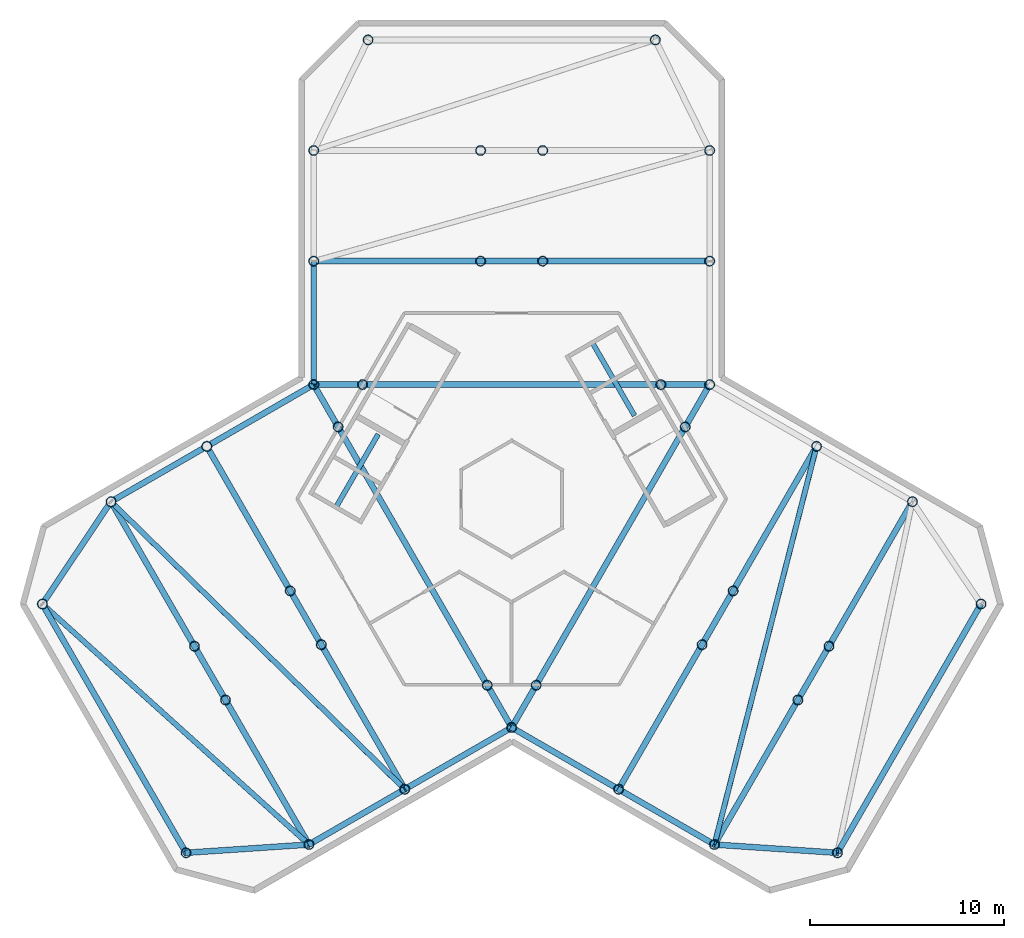
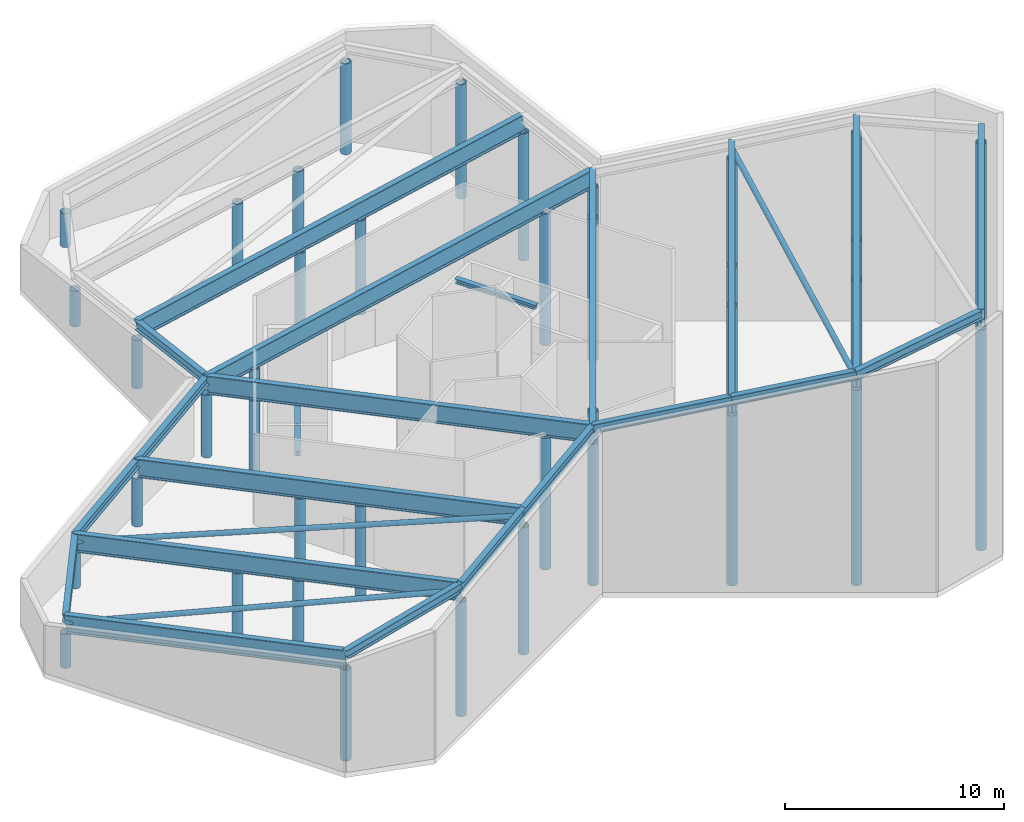
# One storey, part 1 of 5: 39 columns, 24 beams, 3 members.
"""IFC4 building model written with IfcOpenShell, lengths in metres."""

from ifc_helpers import new_model, si_unit, direction, frame, origin, origin_2d, place, context, subcontext, project, spatial, hollow_circle, i_section, extrude, material, material_profile, profile_set, type_object, element, save


model = new_model("IFC4")

# Units and contexts
model_context = context("Model", 3, precision=1e-05, world=origin(), true_north=direction((0.0, 1.0)))
body_context = subcontext(model_context, "Body", "Model", "MODEL_VIEW")
ifc_project = project(units=[si_unit("LENGTHUNIT", "METRE"), si_unit("AREAUNIT", "SQUARE_METRE"), si_unit("VOLUMEUNIT", "CUBIC_METRE"), si_unit("PLANEANGLEUNIT", "RADIAN"), si_unit("MASSUNIT", "GRAM", prefix="KILO")], contexts=[model_context])

# Site, building, storey
site_placement = place(None, origin())
site = spatial("IfcSite", under=ifc_project, at=site_placement, CompositionType="ELEMENT")
building_placement = place(site_placement, origin())
building = spatial("IfcBuilding", under=site, at=building_placement, Name="Kosmar Iwan School Tower", CompositionType="ELEMENT")
storey_placement = place(building_placement, frame((0.0, 0.0, 301.0)))
storey = spatial("IfcBuildingStorey", under=building, at=storey_placement, Name="RF", CompositionType="ELEMENT", Elevation=301.0)

# Columns
ifc_material_1 = material(Name="Steel S355", Category="steel")
ifc_material_profile_1 = material_profile(ifc_material_1, hollow_circle(Radius=0.25390625, WallThickness=0.02490234375, at=origin_2d()), Name="CHS 508x25")
ifc_profile_set_1 = profile_set([ifc_material_profile_1], Name="Steel S355")
column_type = type_object("IfcColumnType", Name="Crown column CHS 508x25", PredefinedType="COLUMN", material=ifc_profile_set_1)
column_1_placement = place(storey_placement, frame((-10.199951171875, 12.25, 0.0), z_axis=(0.0, 0.0, 1.0), x_axis=(1.0, 0.0, 0.0)))
element("IfcColumn", 1, at=column_1_placement, inside=storey, type_object=column_type, Name="Crown column AL1", PredefinedType="COLUMN", context=body_context, shape_type="SweptSolid", body=[
    extrude(hollow_circle(Radius=0.25390625, WallThickness=0.02490234375, at=origin_2d()), origin(), (0.0, 0.0, 1.0), 2.69970703125),
])
column_2_placement = place(storey_placement, frame((-10.199951171875, 17.949951171875, 0.0), z_axis=(0.0, 0.0, 1.0), x_axis=(1.0, 0.0, 0.0)))
element("IfcColumn", 2, at=column_2_placement, inside=storey, type_object=column_type, Name="Crown column AL2", PredefinedType="COLUMN", context=body_context, shape_type="SweptSolid", body=[
    extrude(hollow_circle(Radius=0.25390625, WallThickness=0.02490234375, at=origin_2d()), origin(), (0.0, 0.0, 1.0), 1.989013671875),
])
column_3_placement = place(storey_placement, frame((-7.39990234375, 23.64990234375, 0.0), z_axis=(0.0, 0.0, 1.0), x_axis=(1.0, 0.0, 0.0)))
element("IfcColumn", 3, at=column_3_placement, inside=storey, type_object=column_type, Name="Crown column ALTIP", PredefinedType="COLUMN", context=body_context, shape_type="SweptSolid", body=[
    extrude(hollow_circle(Radius=0.25390625, WallThickness=0.02490234375, at=origin_2d()), origin(), (0.0, 0.0, 1.0), 1.883056640625),
])
column_4_placement = place(storey_placement, frame((10.199951171875, 12.25, 0.0), z_axis=(0.0, 0.0, 1.0), x_axis=(1.0, 0.0, 0.0)))
element("IfcColumn", 4, at=column_4_placement, inside=storey, type_object=column_type, Name="Crown column AR1", PredefinedType="COLUMN", context=body_context, shape_type="SweptSolid", body=[
    extrude(hollow_circle(Radius=0.25390625, WallThickness=0.02490234375, at=origin_2d()), origin(), (0.0, 0.0, 1.0), 7.1044921875),
])
column_5_placement = place(storey_placement, frame((10.199951171875, 17.949951171875, 0.0), z_axis=(0.0, 0.0, 1.0), x_axis=(1.0, 0.0, 0.0)))
element("IfcColumn", 5, at=column_5_placement, inside=storey, type_object=column_type, Name="Crown column AR2", PredefinedType="COLUMN", context=body_context, shape_type="SweptSolid", body=[
    extrude(hollow_circle(Radius=0.25390625, WallThickness=0.02490234375, at=origin_2d()), origin(), (0.0, 0.0, 1.0), 6.39404296875),
])
column_6_placement = place(storey_placement, frame((7.39990234375, 23.64990234375, 0.0), z_axis=(0.0, 0.0, 1.0), x_axis=(1.0, 0.0, 0.0)))
element("IfcColumn", 6, at=column_6_placement, inside=storey, type_object=column_type, Name="Crown column ARTIP", PredefinedType="COLUMN", context=body_context, shape_type="SweptSolid", body=[
    extrude(hollow_circle(Radius=0.25390625, WallThickness=0.02490234375, at=origin_2d()), origin(), (0.0, 0.0, 1.0), 5.078857421875),
])
column_7_placement = place(storey_placement, frame((-5.5087890625, -14.95849609375, 0.0), z_axis=(0.0, 0.0, 1.0), x_axis=(1.0, 0.0, 0.0)))
element("IfcColumn", 7, at=column_7_placement, inside=storey, type_object=column_type, Name="Crown column BL1", PredefinedType="COLUMN", context=body_context, shape_type="SweptSolid", body=[
    extrude(hollow_circle(Radius=0.25390625, WallThickness=0.02490234375, at=origin_2d()), origin(), (0.0, 0.0, 1.0), 7.1044921875),
])
column_8_placement = place(storey_placement, frame((-10.445068359375, -17.808349609375, 0.0), z_axis=(0.0, 0.0, 1.0), x_axis=(1.0, 0.0, 0.0)))
element("IfcColumn", 8, at=column_8_placement, inside=storey, type_object=column_type, Name="Crown column BL2", PredefinedType="COLUMN", context=body_context, shape_type="SweptSolid", body=[
    extrude(hollow_circle(Radius=0.25390625, WallThickness=0.02490234375, at=origin_2d()), origin(), (0.0, 0.0, 1.0), 6.39404296875),
])
column_9_placement = place(storey_placement, frame((-16.781494140625, -18.233642578125, 0.0), z_axis=(0.0, 0.0, 1.0), x_axis=(1.0, 0.0, 0.0)))
element("IfcColumn", 9, at=column_9_placement, inside=storey, type_object=column_type, Name="Crown column BLTIP", PredefinedType="COLUMN", context=body_context, shape_type="SweptSolid", body=[
    extrude(hollow_circle(Radius=0.25390625, WallThickness=0.02490234375, at=origin_2d()), origin(), (0.0, 0.0, 1.0), 5.078857421875),
])
column_10_placement = place(storey_placement, frame((-15.708740234375, 2.70849609375, 0.0), z_axis=(0.0, 0.0, 1.0), x_axis=(1.0, 0.0, 0.0)))
element("IfcColumn", 10, at=column_10_placement, inside=storey, type_object=column_type, Name="Crown column BR1", PredefinedType="COLUMN", context=body_context, shape_type="SweptSolid", body=[
    extrude(hollow_circle(Radius=0.25390625, WallThickness=0.02490234375, at=origin_2d()), origin(), (0.0, 0.0, 1.0), 2.69970703125),
])
column_11_placement = place(storey_placement, frame((-20.645263671875, -0.1416015625, 0.0), z_axis=(0.0, 0.0, 1.0), x_axis=(1.0, 0.0, 0.0)))
element("IfcColumn", 11, at=column_11_placement, inside=storey, type_object=column_type, Name="Crown column BR2", PredefinedType="COLUMN", context=body_context, shape_type="SweptSolid", body=[
    extrude(hollow_circle(Radius=0.25390625, WallThickness=0.02490234375, at=origin_2d()), origin(), (0.0, 0.0, 1.0), 1.989013671875),
])
column_12_placement = place(storey_placement, frame((-24.181396484375, -5.41650390625, 0.0), z_axis=(0.0, 0.0, 1.0), x_axis=(1.0, 0.0, 0.0)))
element("IfcColumn", 12, at=column_12_placement, inside=storey, type_object=column_type, Name="Crown column BRTIP", PredefinedType="COLUMN", context=body_context, shape_type="SweptSolid", body=[
    extrude(hollow_circle(Radius=0.25390625, WallThickness=0.02490234375, at=origin_2d()), origin(), (0.0, 0.0, 1.0), 1.883056640625),
])
column_13_placement = place(storey_placement, frame((15.708740234375, 2.70849609375, 0.0), z_axis=(0.0, 0.0, 1.0), x_axis=(1.0, 0.0, 0.0)))
element("IfcColumn", 13, at=column_13_placement, inside=storey, type_object=column_type, Name="Crown column CL1", PredefinedType="COLUMN", context=body_context, shape_type="SweptSolid", body=[
    extrude(hollow_circle(Radius=0.25390625, WallThickness=0.02490234375, at=origin_2d()), origin(), (0.0, 0.0, 1.0), 9.4833984375),
])
column_14_placement = place(storey_placement, frame((20.645263671875, -0.1416015625, 0.0), z_axis=(0.0, 0.0, 1.0), x_axis=(1.0, 0.0, 0.0)))
element("IfcColumn", 14, at=column_14_placement, inside=storey, type_object=column_type, Name="Crown column CL2", PredefinedType="COLUMN", context=body_context, shape_type="SweptSolid", body=[
    extrude(hollow_circle(Radius=0.25390625, WallThickness=0.02490234375, at=origin_2d()), origin(), (0.0, 0.0, 1.0), 10.904541015625),
])
column_15_placement = place(storey_placement, frame((24.181396484375, -5.41650390625, 0.0), z_axis=(0.0, 0.0, 1.0), x_axis=(1.0, 0.0, 0.0)))
element("IfcColumn", 15, at=column_15_placement, inside=storey, type_object=column_type, Name="Crown column CLTIP", PredefinedType="COLUMN", context=body_context, shape_type="SweptSolid", body=[
    extrude(hollow_circle(Radius=0.25390625, WallThickness=0.02490234375, at=origin_2d()), origin(), (0.0, 0.0, 1.0), 12.325927734375),
])
column_16_placement = place(storey_placement, frame((5.5087890625, -14.95849609375, 0.0), z_axis=(0.0, 0.0, 1.0), x_axis=(1.0, 0.0, 0.0)))
element("IfcColumn", 16, at=column_16_placement, inside=storey, type_object=column_type, Name="Crown column CR1", PredefinedType="COLUMN", context=body_context, shape_type="SweptSolid", body=[
    extrude(hollow_circle(Radius=0.25390625, WallThickness=0.02490234375, at=origin_2d()), origin(), (0.0, 0.0, 1.0), 9.4833984375),
])
column_17_placement = place(storey_placement, frame((10.445068359375, -17.808349609375, 0.0), z_axis=(0.0, 0.0, 1.0), x_axis=(1.0, 0.0, 0.0)))
element("IfcColumn", 17, at=column_17_placement, inside=storey, type_object=column_type, Name="Crown column CR2", PredefinedType="COLUMN", context=body_context, shape_type="SweptSolid", body=[
    extrude(hollow_circle(Radius=0.25390625, WallThickness=0.02490234375, at=origin_2d()), origin(), (0.0, 0.0, 1.0), 10.904541015625),
])
column_18_placement = place(storey_placement, frame((16.781494140625, -18.233642578125, 0.0), z_axis=(0.0, 0.0, 1.0), x_axis=(1.0, 0.0, 0.0)))
element("IfcColumn", 18, at=column_18_placement, inside=storey, type_object=column_type, Name="Crown column CRTIP", PredefinedType="COLUMN", context=body_context, shape_type="SweptSolid", body=[
    extrude(hollow_circle(Radius=0.25390625, WallThickness=0.02490234375, at=origin_2d()), origin(), (0.0, 0.0, 1.0), 12.325927734375),
])
column_19_placement = place(storey_placement, frame((-10.199951171875, 5.888916015625, 0.0), z_axis=(0.0, 0.0, 1.0), x_axis=(1.0, 0.0, 0.0)))
element("IfcColumn", 19, at=column_19_placement, inside=storey, type_object=column_type, Name="Crown column RAB", PredefinedType="COLUMN", context=body_context, shape_type="SweptSolid", body=[
    extrude(hollow_circle(Radius=0.25390625, WallThickness=0.02490234375, at=origin_2d()), origin(), (0.0, 0.0, 1.0), 3.49267578125),
])
for number, where, z_axis, x_axis, name in (
    (20, (10.199951171875, 5.888916015625, 0.0), (0.0, 0.0, 1.0), (1.0, 0.0, 0.0), "Crown column RAC"),
    (21, (0.0, -11.77783203125, 0.0), (0.0, 0.0, 1.0), (1.0, 0.0, 0.0), "Crown column RBC"),
):
    element("IfcColumn", number, at=place(storey_placement, frame(where, z_axis=z_axis, x_axis=x_axis)), inside=storey, type_object=column_type, Name=name, PredefinedType="COLUMN", context=body_context, shape_type="SweptSolid", body=[
        extrude(hollow_circle(Radius=0.25390625, WallThickness=0.02490234375, at=origin_2d()), origin(), (0.0, 0.0, 1.0), 7.8974609375),
    ])
column_20_placement = place(storey_placement, frame((-7.68505859375, 5.888916015625, 0.0), z_axis=(0.0, 0.0, 1.0), x_axis=(1.0, 0.0, 0.0)))
element("IfcColumn", 22, at=column_20_placement, inside=storey, type_object=column_type, Name="Crown post RAB-RAC 1", PredefinedType="COLUMN", context=body_context, shape_type="SweptSolid", body=[
    extrude(hollow_circle(Radius=0.25390625, WallThickness=0.02490234375, at=origin_2d()), origin(), (0.0, 0.0, 1.0), 4.03564453125),
])
column_21_placement = place(storey_placement, frame((7.68505859375, 5.888916015625, 0.0), z_axis=(0.0, 0.0, 1.0), x_axis=(1.0, 0.0, 0.0)))
element("IfcColumn", 23, at=column_21_placement, inside=storey, type_object=column_type, Name="Crown post RAB-RAC 2", PredefinedType="COLUMN", context=body_context, shape_type="SweptSolid", body=[
    extrude(hollow_circle(Radius=0.25390625, WallThickness=0.02490234375, at=origin_2d()), origin(), (0.0, 0.0, 1.0), 7.3544921875),
])
for number, where, z_axis, x_axis, name in (
    (24, (1.25732421875, -9.60009765625, 0.0), (0.0, 0.0, 1.0), (1.0, 0.0, 0.0), "Crown post RAC-RBC 1"),
    (25, (8.942626953125, 3.7109375, 0.0), (0.0, 0.0, 1.0), (1.0, 0.0, 0.0), "Crown post RAC-RBC 2"),
):
    element("IfcColumn", number, at=place(storey_placement, frame(where, z_axis=z_axis, x_axis=x_axis)), inside=storey, type_object=column_type, Name=name, PredefinedType="COLUMN", context=body_context, shape_type="SweptSolid", body=[
        extrude(hollow_circle(Radius=0.25390625, WallThickness=0.02490234375, at=origin_2d()), origin(), (0.0, 0.0, 1.0), 7.8974609375),
    ])
column_22_placement = place(storey_placement, frame((-8.942626953125, 3.7109375, 0.0), z_axis=(0.0, 0.0, 1.0), x_axis=(1.0, 0.0, 0.0)))
element("IfcColumn", 26, at=column_22_placement, inside=storey, type_object=column_type, Name="Crown post RBC-RAB 1", PredefinedType="COLUMN", context=body_context, shape_type="SweptSolid", body=[
    extrude(hollow_circle(Radius=0.25390625, WallThickness=0.02490234375, at=origin_2d()), origin(), (0.0, 0.0, 1.0), 4.03564453125),
])
column_23_placement = place(storey_placement, frame((-1.25732421875, -9.60009765625, 0.0), z_axis=(0.0, 0.0, 1.0), x_axis=(1.0, 0.0, 0.0)))
element("IfcColumn", 27, at=column_23_placement, inside=storey, type_object=column_type, Name="Crown post RBC-RAB 2", PredefinedType="COLUMN", context=body_context, shape_type="SweptSolid", body=[
    extrude(hollow_circle(Radius=0.25390625, WallThickness=0.02490234375, at=origin_2d()), origin(), (0.0, 0.0, 1.0), 7.3544921875),
])
column_24_placement = place(storey_placement, frame((-1.60009765625, 12.25, 0.0), z_axis=(0.0, 0.0, 1.0), x_axis=(1.0, 0.0, 0.0)))
element("IfcColumn", 28, at=column_24_placement, inside=storey, type_object=column_type, Name="Crown post AL1-AR1 L", PredefinedType="COLUMN", context=body_context, shape_type="SweptSolid", body=[
    extrude(hollow_circle(Radius=0.25390625, WallThickness=0.02490234375, at=origin_2d()), origin(), (0.0, 0.0, 1.0), 4.556640625),
])
column_25_placement = place(storey_placement, frame((1.60009765625, 12.25, 0.0), z_axis=(0.0, 0.0, 1.0), x_axis=(1.0, 0.0, 0.0)))
element("IfcColumn", 29, at=column_25_placement, inside=storey, type_object=column_type, Name="Crown post AL1-AR1 R", PredefinedType="COLUMN", context=body_context, shape_type="SweptSolid", body=[
    extrude(hollow_circle(Radius=0.25390625, WallThickness=0.02490234375, at=origin_2d()), origin(), (0.0, 0.0, 1.0), 5.24755859375),
])
column_26_placement = place(storey_placement, frame((-1.60009765625, 17.949951171875, 0.0), z_axis=(0.0, 0.0, 1.0), x_axis=(1.0, 0.0, 0.0)))
element("IfcColumn", 30, at=column_26_placement, inside=storey, type_object=column_type, Name="Crown post AL2-AR2 L", PredefinedType="COLUMN", context=body_context, shape_type="SweptSolid", body=[
    extrude(hollow_circle(Radius=0.25390625, WallThickness=0.02490234375, at=origin_2d()), origin(), (0.0, 0.0, 1.0), 3.845947265625),
])
column_27_placement = place(storey_placement, frame((1.60009765625, 17.949951171875, 0.0), z_axis=(0.0, 0.0, 1.0), x_axis=(1.0, 0.0, 0.0)))
element("IfcColumn", 31, at=column_27_placement, inside=storey, type_object=column_type, Name="Crown post AL2-AR2 R", PredefinedType="COLUMN", context=body_context, shape_type="SweptSolid", body=[
    extrude(hollow_circle(Radius=0.25390625, WallThickness=0.02490234375, at=origin_2d()), origin(), (0.0, 0.0, 1.0), 4.536865234375),
])
column_28_placement = place(storey_placement, frame((-9.808837890625, -7.5107421875, 0.0), z_axis=(0.0, 0.0, 1.0), x_axis=(1.0, 0.0, 0.0)))
element("IfcColumn", 32, at=column_28_placement, inside=storey, type_object=column_type, Name="Crown post BL1-BR1 L", PredefinedType="COLUMN", context=body_context, shape_type="SweptSolid", body=[
    extrude(hollow_circle(Radius=0.25390625, WallThickness=0.02490234375, at=origin_2d()), origin(), (0.0, 0.0, 1.0), 5.24755859375),
])
column_29_placement = place(storey_placement, frame((-11.40869140625, -4.7392578125, 0.0), z_axis=(0.0, 0.0, 1.0), x_axis=(1.0, 0.0, 0.0)))
element("IfcColumn", 33, at=column_29_placement, inside=storey, type_object=column_type, Name="Crown post BL1-BR1 R", PredefinedType="COLUMN", context=body_context, shape_type="SweptSolid", body=[
    extrude(hollow_circle(Radius=0.25390625, WallThickness=0.02490234375, at=origin_2d()), origin(), (0.0, 0.0, 1.0), 4.556640625),
])
column_30_placement = place(storey_placement, frame((-14.7451171875, -10.360595703125, 0.0), z_axis=(0.0, 0.0, 1.0), x_axis=(1.0, 0.0, 0.0)))
element("IfcColumn", 34, at=column_30_placement, inside=storey, type_object=column_type, Name="Crown post BL2-BR2 L", PredefinedType="COLUMN", context=body_context, shape_type="SweptSolid", body=[
    extrude(hollow_circle(Radius=0.25390625, WallThickness=0.02490234375, at=origin_2d()), origin(), (0.0, 0.0, 1.0), 4.536865234375),
])
column_31_placement = place(storey_placement, frame((-16.34521484375, -7.58935546875, 0.0), z_axis=(0.0, 0.0, 1.0), x_axis=(1.0, 0.0, 0.0)))
element("IfcColumn", 35, at=column_31_placement, inside=storey, type_object=column_type, Name="Crown post BL2-BR2 R", PredefinedType="COLUMN", context=body_context, shape_type="SweptSolid", body=[
    extrude(hollow_circle(Radius=0.25390625, WallThickness=0.02490234375, at=origin_2d()), origin(), (0.0, 0.0, 1.0), 3.845947265625),
])
for number, where, z_axis, x_axis, name in (
    (36, (11.40869140625, -4.7392578125, 0.0), (0.0, 0.0, 1.0), (1.0, 0.0, 0.0), "Crown post CL1-CR1 L"),
    (37, (9.808837890625, -7.5107421875, 0.0), (0.0, 0.0, 1.0), (1.0, 0.0, 0.0), "Crown post CL1-CR1 R"),
):
    element("IfcColumn", number, at=place(storey_placement, frame(where, z_axis=z_axis, x_axis=x_axis)), inside=storey, type_object=column_type, Name=name, PredefinedType="COLUMN", context=body_context, shape_type="SweptSolid", body=[
        extrude(hollow_circle(Radius=0.25390625, WallThickness=0.02490234375, at=origin_2d()), origin(), (0.0, 0.0, 1.0), 9.4833984375),
    ])
for number, where, z_axis, x_axis, name in (
    (38, (16.34521484375, -7.58935546875, 0.0), (0.0, 0.0, 1.0), (1.0, 0.0, 0.0), "Crown post CL2-CR2 L"),
    (39, (14.7451171875, -10.360595703125, 0.0), (0.0, 0.0, 1.0), (1.0, 0.0, 0.0), "Crown post CL2-CR2 R"),
):
    element("IfcColumn", number, at=place(storey_placement, frame(where, z_axis=z_axis, x_axis=x_axis)), inside=storey, type_object=column_type, Name=name, PredefinedType="COLUMN", context=body_context, shape_type="SweptSolid", body=[
        extrude(hollow_circle(Radius=0.25390625, WallThickness=0.02490234375, at=origin_2d()), origin(), (0.0, 0.0, 1.0), 10.904541015625),
    ])

# Beams
ifc_material_2 = material(Name="Steel S355", Category="steel")
ifc_material_profile_2 = material_profile(ifc_material_2, i_section(OverallWidth=0.302001953125, OverallDepth=1.008056640625, WebThickness=0.02099609375, FlangeThickness=0.0400390625, FilletRadius=0.030029296875, at=origin_2d()), Name="HE 1000 M")
ifc_profile_set_2 = profile_set([ifc_material_profile_2], Name="Steel S355")
beam_type_1 = type_object("IfcBeamType", Name="Crown rafter HE 1000 M", PredefinedType="BEAM", material=ifc_profile_set_2)
for number, where, z_axis, x_axis, name in (
    (40, (-10.199951171875, 12.25, 3.20361328125), (0.977473556305, 0.0, 0.211057922675), (0.0, 1.0, 0.0), "Crown rafter AL1-AR1"),
    (41, (-5.5087890625, -14.95849609375, 7.6083984375), (-0.488733635634, 0.846519083966, -0.211056565598), (-0.866027346459, -0.499996635174, 0.0), "Crown rafter BL1-BR1"),
    (42, (-10.445068359375, -17.808349609375, 6.89794921875), (-0.488747379243, 0.846510928774, -0.21105744893), (-0.866019172311, -0.500010793073, 0.0), "Crown rafter BL2-BR2"),
):
    element("IfcBeam", number, at=place(storey_placement, frame(where, z_axis=z_axis, x_axis=x_axis)), inside=storey, type_object=beam_type_1, Name=name, PredefinedType="BEAM", context=body_context, shape_type="SweptSolid", body=[
        extrude(i_section(OverallWidth=0.302001953125, OverallDepth=1.008056640625, WebThickness=0.02099609375, FlangeThickness=0.0400390625, FilletRadius=0.030029296875, at=origin_2d()), origin(), (0.0, 0.0, 1.0), 20.8701171875),
    ])
beam_1_placement = place(storey_placement, frame((-16.781494140625, -18.233642578125, 5.582763671875), z_axis=(-0.488731818432, 0.846517048362, -0.211068937752), x_axis=(-0.86602763084, -0.499996142607, 0.0)))
element("IfcBeam", 43, at=beam_1_placement, inside=storey, type_object=beam_type_1, Name="Crown rafter BLTIP-BRTIP", PredefinedType="BEAM", context=body_context, shape_type="SweptSolid", body=[
    extrude(i_section(OverallWidth=0.302001953125, OverallDepth=1.008056640625, WebThickness=0.02099609375, FlangeThickness=0.0400390625, FilletRadius=0.030029296875, at=origin_2d()), origin(), (0.0, 0.0, 1.0), 15.14111328125),
])
beam_2_placement = place(storey_placement, frame((15.708740234375, 2.70849609375, 9.987548828125), z_axis=(-0.499996635174, -0.866027346459, 0.0), x_axis=(0.866027346459, -0.499996635174, 0.0)))
element("IfcBeam", 44, at=beam_2_placement, inside=storey, type_object=beam_type_1, Name="Crown rafter CL1-CR1", PredefinedType="BEAM", context=body_context, shape_type="SweptSolid", body=[
    extrude(i_section(OverallWidth=0.302001953125, OverallDepth=1.008056640625, WebThickness=0.02099609375, FlangeThickness=0.0400390625, FilletRadius=0.030029296875, at=origin_2d()), origin(), (0.0, 0.0, 1.0), 20.400146484375),
])
beam_3_placement = place(storey_placement, frame((20.645263671875, -0.1416015625, 11.40869140625), z_axis=(-0.500010793073, -0.866019172311, 0.0), x_axis=(0.866019172311, -0.500010793073, 0.0)))
element("IfcBeam", 45, at=beam_3_placement, inside=storey, type_object=beam_type_1, Name="Crown rafter CL2-CR2", PredefinedType="BEAM", context=body_context, shape_type="SweptSolid", body=[
    extrude(i_section(OverallWidth=0.302001953125, OverallDepth=1.008056640625, WebThickness=0.02099609375, FlangeThickness=0.0400390625, FilletRadius=0.030029296875, at=origin_2d()), origin(), (0.0, 0.0, 1.0), 20.39990234375),
])
beam_4_placement = place(storey_placement, frame((24.181396484375, -5.41650390625, 12.829833984375), z_axis=(-0.499996142607, -0.86602763084, 0.0), x_axis=(0.86602763084, -0.499996142607, 0.0)))
element("IfcBeam", 46, at=beam_4_placement, inside=storey, type_object=beam_type_1, Name="Crown rafter CLTIP-CRTIP", PredefinedType="BEAM", context=body_context, shape_type="SweptSolid", body=[
    extrude(i_section(OverallWidth=0.302001953125, OverallDepth=1.008056640625, WebThickness=0.02099609375, FlangeThickness=0.0400390625, FilletRadius=0.030029296875, at=origin_2d()), origin(), (0.0, 0.0, 1.0), 14.7998046875),
])
beam_5_placement = place(storey_placement, frame((-10.199951171875, 5.888916015625, 3.99658203125), z_axis=(0.977471142879, 0.0, 0.211069099679), x_axis=(0.0, 1.0, 0.0)))
element("IfcBeam", 47, at=beam_5_placement, inside=storey, type_object=beam_type_1, Name="Crown rafter RAB-RAC", PredefinedType="BEAM", context=body_context, shape_type="SweptSolid", body=[
    extrude(i_section(OverallWidth=0.302001953125, OverallDepth=1.008056640625, WebThickness=0.02099609375, FlangeThickness=0.0400390625, FilletRadius=0.030029296875, at=origin_2d()), origin(), (0.0, 0.0, 1.0), 20.8701171875),
])
beam_6_placement = place(storey_placement, frame((10.199951171875, 5.888916015625, 8.401611328125), z_axis=(-0.500001817342, -0.866024354539, 0.0), x_axis=(0.866024354539, -0.500001817342, 0.0)))
element("IfcBeam", 48, at=beam_6_placement, inside=storey, type_object=beam_type_1, Name="Crown rafter RAC-RBC", PredefinedType="BEAM", context=body_context, shape_type="SweptSolid", body=[
    extrude(i_section(OverallWidth=0.302001953125, OverallDepth=1.008056640625, WebThickness=0.02099609375, FlangeThickness=0.0400390625, FilletRadius=0.030029296875, at=origin_2d()), origin(), (0.0, 0.0, 1.0), 20.39990234375),
])
beam_7_placement = place(storey_placement, frame((0.0, -11.77783203125, 8.401611328125), z_axis=(-0.488737268699, 0.84651367852, -0.21106983267), x_axis=(-0.866024354539, -0.500001817342, 0.0)))
element("IfcBeam", 49, at=beam_7_placement, inside=storey, type_object=beam_type_1, Name="Crown rafter RBC-RAB", PredefinedType="BEAM", context=body_context, shape_type="SweptSolid", body=[
    extrude(i_section(OverallWidth=0.302001953125, OverallDepth=1.008056640625, WebThickness=0.02099609375, FlangeThickness=0.0400390625, FilletRadius=0.030029296875, at=origin_2d()), origin(), (0.0, 0.0, 1.0), 20.8701171875),
])

# Members
ifc_material_3 = material(Name="Steel S355", Category="steel")
ifc_material_profile_3 = material_profile(ifc_material_3, hollow_circle(Radius=0.136474609375, WallThickness=0.010009765625, at=origin_2d()), Name="CHS 273.0x10")
ifc_profile_set_3 = profile_set([ifc_material_profile_3], Name="Steel S355")
member_type = type_object("IfcMemberType", Name="Crown roof brace CHS 273.0x10", PredefinedType="BRACE", material=ifc_profile_set_3)
member_1_placement = place(storey_placement, frame((-5.5087890625, -14.95849609375, 7.6083984375), z_axis=(-0.694641556054, 0.679975419553, -0.234747816617), x_axis=(-0.699522666696, -0.714610410488, 0.0)))
element("IfcMember", 50, at=member_1_placement, inside=storey, type_object=member_type, Name="Crown roof brace BL1-BR2", PredefinedType="BRACE", context=body_context, shape_type="SweptSolid", body=[
    extrude(hollow_circle(Radius=0.136474609375, WallThickness=0.010009765625, at=origin_2d()), origin(), (0.0, 0.0, 1.0), 21.790283203125),
])
member_2_placement = place(storey_placement, frame((-10.445068359375, -17.808349609375, 6.89794921875), z_axis=(-0.721374224578, 0.650767658128, -0.236898043998), x_axis=(-0.669834830442, -0.742510134562, 0.0)))
element("IfcMember", 51, at=member_2_placement, inside=storey, type_object=member_type, Name="Crown roof brace BL2-BRTIP", PredefinedType="BRACE", context=body_context, shape_type="SweptSolid", body=[
    extrude(hollow_circle(Radius=0.136474609375, WallThickness=0.010009765625, at=origin_2d()), origin(), (0.0, 0.0, 1.0), 19.0419921875),
])
member_3_placement = place(storey_placement, frame((15.708740234375, 2.70849609375, 9.987548828125), z_axis=(-0.24794822519, -0.96645756031, 0.066943720725), x_axis=(0.968630437586, -0.24850568481, 0.0)))
element("IfcMember", 52, at=member_3_placement, inside=storey, type_object=member_type, Name="Crown roof brace CL1-CR2", PredefinedType="BRACE", context=body_context, shape_type="SweptSolid", body=[
    extrude(hollow_circle(Radius=0.136474609375, WallThickness=0.010009765625, at=origin_2d()), origin(), (0.0, 0.0, 1.0), 21.22900390625),
])

# Beams
ifc_material_4 = material(Name="Steel S355", Category="steel")
ifc_material_profile_4 = material_profile(ifc_material_4, i_section(OverallWidth=0.300048828125, OverallDepth=0.5, WebThickness=0.014404296875, FlangeThickness=0.028076171875, FilletRadius=0.027099609375, at=origin_2d()), Name="HE 500 B")
ifc_profile_set_4 = profile_set([ifc_material_profile_4], Name="Steel S355")
beam_type_2 = type_object("IfcBeamType", Name="Crown tip rafter HE 500 B", PredefinedType="BEAM", material=ifc_profile_set_4)
for number, where, z_axis, x_axis, name in (
    (53, (-10.199951171875, 5.888916015625, 4.250732421875), (0.0, 0.992319422058, -0.123701918359), (-1.0, 0.0, 0.0), "Crown rafter RAB-AL1"),
    (54, (0.0, -11.77783203125, 8.655517578125), (-0.859362801534, -0.496178805991, -0.123701931368), (0.500019243575, -0.866014293216, 0.0), "Crown rafter RBC-BL1"),
):
    element("IfcBeam", number, at=place(storey_placement, frame(where, z_axis=z_axis, x_axis=x_axis)), inside=storey, type_object=beam_type_2, Name=name, PredefinedType="BEAM", context=body_context, shape_type="SweptSolid", body=[
        extrude(i_section(OverallWidth=0.300048828125, OverallDepth=0.5, WebThickness=0.014404296875, FlangeThickness=0.028076171875, FilletRadius=0.027099609375, at=origin_2d()), origin(), (0.0, 0.0, 1.0), 6.410400390625),
    ])
beam_8_placement = place(storey_placement, frame((-5.5087890625, -14.95849609375, 7.862548828125), z_axis=(-0.859379222542, -0.49614390745, -0.123727826145), x_axis=(0.49998570155, -0.866033658841, 0.0)))
element("IfcBeam", 55, at=beam_8_placement, inside=storey, type_object=beam_type_2, Name="Crown rafter BL1-BL2", PredefinedType="BEAM", context=body_context, shape_type="SweptSolid", body=[
    extrude(i_section(OverallWidth=0.300048828125, OverallDepth=0.5, WebThickness=0.014404296875, FlangeThickness=0.028076171875, FilletRadius=0.027099609375, at=origin_2d()), origin(), (0.0, 0.0, 1.0), 5.743896484375),
])
beam_9_placement = place(storey_placement, frame((-10.445068359375, -17.808349609375, 7.15185546875), z_axis=(-0.977023885354, -0.065576620493, -0.202790616876), x_axis=(0.066968074933, -0.997755118724, 0.0)))
element("IfcBeam", 56, at=beam_9_placement, inside=storey, type_object=beam_type_2, Name="Crown rafter BL2-BLTIP", PredefinedType="BEAM", context=body_context, shape_type="SweptSolid", body=[
    extrude(i_section(OverallWidth=0.300048828125, OverallDepth=0.5, WebThickness=0.014404296875, FlangeThickness=0.028076171875, FilletRadius=0.027099609375, at=origin_2d()), origin(), (0.0, 0.0, 1.0), 6.4853515625),
])
beam_10_placement = place(storey_placement, frame((-10.199951171875, 5.888916015625, 4.250732421875), z_axis=(-0.859379040967, -0.496150096024, -0.123704268971), x_axis=(0.49999045822, -0.866030912664, 0.0)))
element("IfcBeam", 57, at=beam_10_placement, inside=storey, type_object=beam_type_2, Name="Crown rafter RAB-BR1", PredefinedType="BEAM", context=body_context, shape_type="SweptSolid", body=[
    extrude(i_section(OverallWidth=0.300048828125, OverallDepth=0.5, WebThickness=0.014404296875, FlangeThickness=0.028076171875, FilletRadius=0.027099609375, at=origin_2d()), origin(), (0.0, 0.0, 1.0), 6.41015625),
])
beam_11_placement = place(storey_placement, frame((-15.708740234375, 2.70849609375, 3.457763671875), z_axis=(-0.859372213627, -0.496157825019, -0.123720698015), x_axis=(0.499999279071, -0.866025820012, 0.0)))
element("IfcBeam", 58, at=beam_11_placement, inside=storey, type_object=beam_type_2, Name="Crown rafter BR1-BR2", PredefinedType="BEAM", context=body_context, shape_type="SweptSolid", body=[
    extrude(i_section(OverallWidth=0.300048828125, OverallDepth=0.5, WebThickness=0.014404296875, FlangeThickness=0.028076171875, FilletRadius=0.027099609375, at=origin_2d()), origin(), (0.0, 0.0, 1.0), 5.744384765625),
])
beam_12_placement = place(storey_placement, frame((-20.645263671875, -0.1416015625, 2.7470703125), z_axis=(-0.556750114434, -0.830512494647, -0.016682515166), x_axis=(0.83062808721, -0.556827604145, 0.0)))
element("IfcBeam", 59, at=beam_12_placement, inside=storey, type_object=beam_type_2, Name="Crown rafter BR2-BRTIP", PredefinedType="BEAM", context=body_context, shape_type="SweptSolid", body=[
    extrude(i_section(OverallWidth=0.300048828125, OverallDepth=0.5, WebThickness=0.014404296875, FlangeThickness=0.028076171875, FilletRadius=0.027099609375, at=origin_2d()), origin(), (0.0, 0.0, 1.0), 6.351318359375),
])
beam_13_placement = place(storey_placement, frame((0.0, -11.77783203125, 8.655517578125), z_axis=(0.840291787646, -0.485167585953, 0.241913466254), x_axis=(0.500019243575, 0.866014293216, 0.0)))
element("IfcBeam", 60, at=beam_13_placement, inside=storey, type_object=beam_type_2, Name="Crown rafter RBC-CR1", PredefinedType="BEAM", context=body_context, shape_type="SweptSolid", body=[
    extrude(i_section(OverallWidth=0.300048828125, OverallDepth=0.5, WebThickness=0.014404296875, FlangeThickness=0.028076171875, FilletRadius=0.027099609375, at=origin_2d()), origin(), (0.0, 0.0, 1.0), 6.555908203125),
])
beam_14_placement = place(storey_placement, frame((5.5087890625, -14.95849609375, 10.241455078125), z_axis=(0.840308572249, -0.485133882183, 0.241922755777), x_axis=(0.49998570155, 0.866033658841, 0.0)))
element("IfcBeam", 61, at=beam_14_placement, inside=storey, type_object=beam_type_2, Name="Crown rafter CR1-CR2", PredefinedType="BEAM", context=body_context, shape_type="SweptSolid", body=[
    extrude(i_section(OverallWidth=0.300048828125, OverallDepth=0.5, WebThickness=0.014404296875, FlangeThickness=0.028076171875, FilletRadius=0.027099609375, at=origin_2d()), origin(), (0.0, 0.0, 1.0), 5.874267578125),
])
beam_15_placement = place(storey_placement, frame((10.445068359375, -17.808349609375, 11.66259765625), z_axis=(0.973673794317, -0.065351766575, 0.218376942156), x_axis=(0.066968074933, 0.997755118724, 0.0)))
element("IfcBeam", 62, at=beam_15_placement, inside=storey, type_object=beam_type_2, Name="Crown rafter CR2-CRTIP", PredefinedType="BEAM", context=body_context, shape_type="SweptSolid", body=[
    extrude(i_section(OverallWidth=0.300048828125, OverallDepth=0.5, WebThickness=0.014404296875, FlangeThickness=0.028076171875, FilletRadius=0.027099609375, at=origin_2d()), origin(), (0.0, 0.0, 1.0), 6.5078125),
])
ifc_material_5 = material(Name="Steel S355", Category="steel")
ifc_material_profile_5 = material_profile(ifc_material_5, i_section(OverallWidth=0.260009765625, OverallDepth=0.260009765625, WebThickness=0.010009765625, FlangeThickness=0.017578125, FilletRadius=0.02392578125, at=origin_2d()), Name="HE 260 B")
ifc_profile_set_5 = profile_set([ifc_material_profile_5], Name="Steel S355")
beam_type_3 = type_object("IfcBeamType", Name="Lift lifting beam HE 260 B", PredefinedType="BEAM", material=ifc_profile_set_5)
for number, where, z_axis, x_axis, name in (
    (63, (-6.87841796875, 3.336181640625, 3.469970703125), (-0.500027713859, -0.866009402589, 0.0), (0.866009402589, -0.500027713859, 0.0), "Lift FF2 lifting beam"),
    (64, (-7.978515625, 1.430908203125, 3.469970703125), (-0.500027713859, -0.866009402589, 0.0), (0.866009402589, -0.500027713859, 0.0), "Lift PL6 lifting beam"),
):
    element("IfcBeam", number, at=place(storey_placement, frame(where, z_axis=z_axis, x_axis=x_axis)), inside=storey, type_object=beam_type_3, Name=name, PredefinedType="BEAM", context=body_context, shape_type="SweptSolid", body=[
        extrude(i_section(OverallWidth=0.260009765625, OverallDepth=0.260009765625, WebThickness=0.010009765625, FlangeThickness=0.017578125, FilletRadius=0.02392578125, at=origin_2d()), origin(), (0.0, 0.0, 1.0), 2.10009765625),
    ])
beam_16_placement = place(storey_placement, frame((6.328369140625, 4.288818359375, 3.469970703125), z_axis=(-0.49994051562, 0.866059744384, 0.0), x_axis=(-0.866059744384, -0.49994051562, 0.0)))
element("IfcBeam", 65, at=beam_16_placement, inside=storey, type_object=beam_type_3, Name="Lift FF1 lifting beam", PredefinedType="BEAM", context=body_context, shape_type="SweptSolid", body=[
    extrude(i_section(OverallWidth=0.260009765625, OverallDepth=0.260009765625, WebThickness=0.010009765625, FlangeThickness=0.017578125, FilletRadius=0.02392578125, at=origin_2d()), origin(), (0.0, 0.0, 1.0), 2.099853515625),
])
beam_17_placement = place(storey_placement, frame((5.228515625, 6.194091796875, 3.469970703125), z_axis=(-0.500027713859, 0.866009402589, 0.0), x_axis=(-0.866009402589, -0.500027713859, 0.0)))
element("IfcBeam", 66, at=beam_17_placement, inside=storey, type_object=beam_type_3, Name="Lift PL5 lifting beam", PredefinedType="BEAM", context=body_context, shape_type="SweptSolid", body=[
    extrude(i_section(OverallWidth=0.260009765625, OverallDepth=0.260009765625, WebThickness=0.010009765625, FlangeThickness=0.017578125, FilletRadius=0.02392578125, at=origin_2d()), origin(), (0.0, 0.0, 1.0), 2.10009765625),
])

save(model, "model.ifc")
